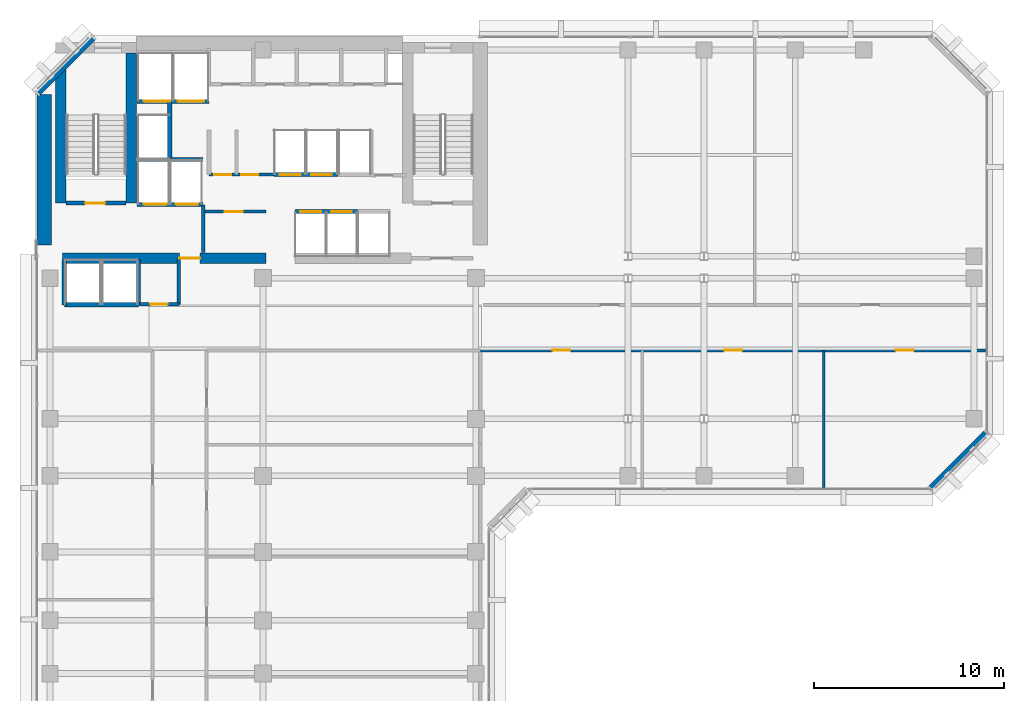
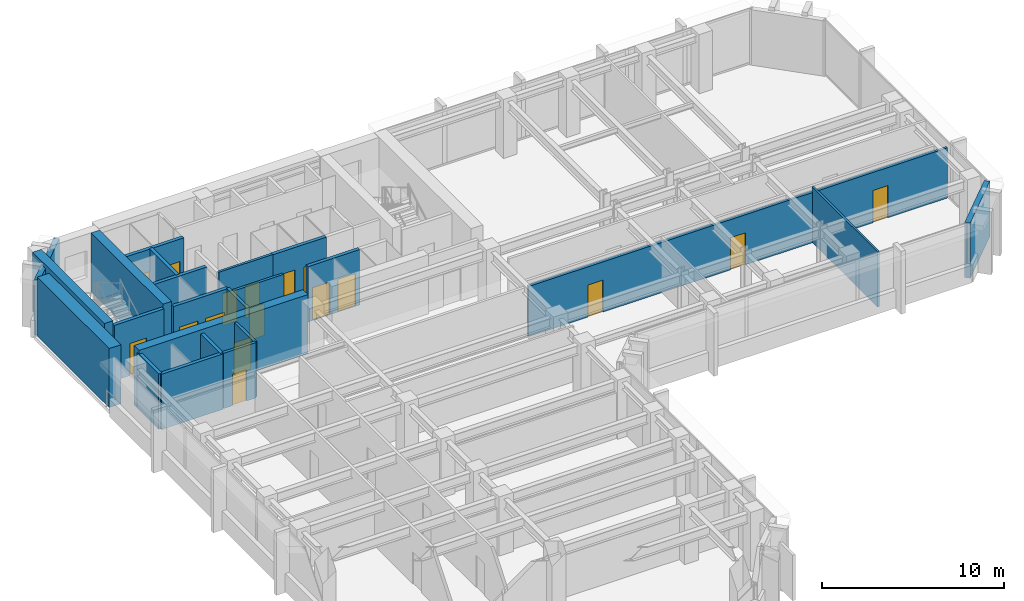
# One storey, part 7 of 11: 23 walls, 17 doors, 17 openings.
"""IFC4 building model written with IfcOpenShell, lengths in metres."""

from ifc_helpers import new_model, si_unit, direction, frame, frame_2d, origin, place, context, subcontext, project, spatial, rectangle, extrude, material, layer, layer_set, type_object, element, fill, save


model = new_model("IFC4")

# Units and contexts
model_context = context("Model", 3, precision=1e-05, world=origin(), true_north=direction((0.0, 1.0)))
body_context = subcontext(model_context, "Body", "Model", "MODEL_VIEW")
ifc_project = project(units=[si_unit("LENGTHUNIT", "METRE"), si_unit("AREAUNIT", "SQUARE_METRE"), si_unit("VOLUMEUNIT", "CUBIC_METRE"), si_unit("PLANEANGLEUNIT", "RADIAN"), si_unit("MASSUNIT", "GRAM", prefix="KILO")], contexts=[model_context])

# Site, building, storey
site_placement = place(None, origin())
site = spatial("IfcSite", under=ifc_project, at=site_placement, CompositionType="ELEMENT")
building_placement = place(site_placement, origin())
building = spatial("IfcBuilding", under=site, at=building_placement, Name="Kefirva Bronze Tower", CompositionType="ELEMENT")
storey_placement = place(building_placement, frame((0.0, 0.0, 142.889892578125)))
storey = spatial("IfcBuildingStorey", under=building, at=storey_placement, Name="L34", CompositionType="ELEMENT", Elevation=142.889892578125)

# Wall
ifc_material_1 = material(Name="Gypsum acoustic partition")
ifc_layer_1 = layer(ifc_material_1, 0.1298828125, Name="Gypsum acoustic partition")
ifc_layer_set_1 = layer_set([ifc_layer_1], Name="Gypsum acoustic partition")
wall_type_1 = type_object("IfcWallType", Name="Acoustic Office Partition 130mm", PredefinedType="PARTITIONING", material=ifc_layer_set_1)
wall_1_placement = place(storey_placement, frame((41.5107421875, 22.18994140625, 0.0), z_axis=(0.0, 0.0, 1.0), x_axis=(0.0, 1.0, 0.0)))
element("IfcWall", 1, at=wall_1_placement, inside=storey, type_object=wall_type_1, Name="L34 Partition W-L34-ESD2", PredefinedType="PARTITIONING", context=body_context, shape_type="SweptSolid", body=[
    extrude(rectangle(XDim=7.2099609375, YDim=0.1298828125, at=frame_2d((3.60498046875, 0.0))), origin(), (0.0, 0.0, 1.0), 3.710205078125),
])

# Wall, opening, door
ifc_material_2 = material(Name="Gypsum fireboard shaftwall")
ifc_layer_2 = layer(ifc_material_2, 0.219970703125, Name="Gypsum fireboard shaftwall")
ifc_layer_set_2 = layer_set([ifc_layer_2], Name="Gypsum fireboard shaftwall")
wall_type_2 = type_object("IfcWallType", Name="Fire-Rated Shaft Enclosure Wall 220mm", PredefinedType="PARTITIONING", material=ifc_layer_set_2)
wall_2_placement = place(storey_placement, frame((1.64990234375, 37.14990234375, 0.0), z_axis=(0.0, 0.0, 1.0), x_axis=(1.0, 0.0, 0.0)))
wall_2 = element("IfcWall", 2, at=wall_2_placement, inside=storey, type_object=wall_type_2, Name="L34 Partition W-L34-ST1S", PredefinedType="PARTITIONING", context=body_context, shape_type="SweptSolid", body=[
    extrude(rectangle(XDim=3.150146484375, YDim=0.219970703125, at=frame_2d((1.5751953125, 0.0))), origin(), (0.0, 0.0, 1.0), 3.710205078125),
])
opening_1_placement = place(wall_2_placement, frame((2.050048828125, 0.0, 0.0), z_axis=(0.0, 0.0, 1.0), x_axis=(-1.0, 0.0, 0.0)))
opening_1 = element("IfcOpeningElement", 3, at=opening_1_placement, cuts=wall_2, Name="Opening L34-D001", PredefinedType="OPENING", context=body_context, shape_type="SweptSolid", body=[
    extrude(rectangle(XDim=1.050048828125, YDim=2.14990234375, at=frame_2d((0.52490234375, 1.074951171875))), frame((0.0, 0.1201171875, 0.0), z_axis=(0.0, -1.0, 0.0), x_axis=(1.0, 0.0, 0.0)), (0.0, 0.0, 1.0), 0.239990234375),
])
ifc_material_3 = material(Name="Painted galvanized steel", Category="steel")
door_type_1 = type_object("IfcDoorType", Name="Fire Stair Enclosure Door 1050x2150 FD90S", OperationType="NOTDEFINED", PredefinedType="DOOR", material=ifc_material_3)
door_1_placement = place(opening_1_placement, origin())
door_1 = element("IfcDoor", 4, at=door_1_placement, inside=storey, type_object=door_type_1, Name="Door L34-D001", OperationType="SINGLE_SWING_RIGHT", OverallHeight=2.14990234375, OverallWidth=1.050048828125, PredefinedType="DOOR", context=body_context, shape_type="SweptSolid", body=[
    extrude(rectangle(XDim=1.050048828125, YDim=2.14990234375, at=frame_2d((0.52490234375, 1.074951171875))), frame((0.0, 0.02490234375, 0.0), z_axis=(0.0, -1.0, 0.0), x_axis=(1.0, 0.0, 0.0)), (0.0, 0.0, 1.0), 0.050048828125),
])
fill(opening_1, door_1)

# Wall, openings, doors
wall_3_placement = place(storey_placement, frame((5.3798828125, 37.080078125, 0.0), z_axis=(0.0, 0.0, 1.0), x_axis=(1.0, 0.0, 0.0)))
wall_3 = element("IfcWall", 5, at=wall_3_placement, inside=storey, type_object=wall_type_2, Name="L34 Partition W-L34-FFS", PredefinedType="PARTITIONING", context=body_context, shape_type="SweptSolid", body=[
    extrude(rectangle(XDim=3.460205078125, YDim=0.219970703125, at=frame_2d((1.72998046875, 0.0))), origin(), (0.0, 0.0, 1.0), 3.710205078125),
])
opening_2_placement = place(wall_3_placement, frame((1.550048828125, 0.0, 0.0), z_axis=(0.0, 0.0, 1.0), x_axis=(-1.0, 0.0, 0.0)))
opening_2 = element("IfcOpeningElement", 6, at=opening_2_placement, cuts=wall_3, Name="Opening L34-LD-FF1", PredefinedType="OPENING", context=body_context, shape_type="SweptSolid", body=[
    extrude(rectangle(XDim=1.199951171875, YDim=2.199951171875, at=frame_2d((0.60009765625, 1.10009765625))), frame((0.0, 0.1201171875, 0.0), z_axis=(0.0, -1.0, 0.0), x_axis=(1.0, 0.0, 0.0)), (0.0, 0.0, 1.0), 0.239990234375),
])
opening_3_placement = place(wall_3_placement, frame((3.219970703125, 0.0, 0.0), z_axis=(0.0, 0.0, 1.0), x_axis=(-1.0, 0.0, 0.0)))
opening_3 = element("IfcOpeningElement", 7, at=opening_3_placement, cuts=wall_3, Name="Opening L34-LD-FF2", PredefinedType="OPENING", context=body_context, shape_type="SweptSolid", body=[
    extrude(rectangle(XDim=1.199951171875, YDim=2.199951171875, at=frame_2d((0.60009765625, 1.10009765625))), frame((0.0, 0.1201171875, 0.0), z_axis=(0.0, -1.0, 0.0), x_axis=(1.0, 0.0, 0.0)), (0.0, 0.0, 1.0), 0.239990234375),
])
ifc_material_4 = material(Name="Stainless steel 316", Category="steel")
door_type_2 = type_object("IfcDoorType", Name="Firefighting Lift Sliding Door 1200x2200", OperationType="SLIDING_TO_RIGHT", PredefinedType="DOOR", material=ifc_material_4)
door_2_placement = place(opening_2_placement, origin())
door_2 = element("IfcDoor", 8, at=door_2_placement, inside=storey, type_object=door_type_2, Name="Door L34-LD-FF1", OperationType="SLIDING_TO_RIGHT", OverallHeight=2.199951171875, OverallWidth=1.199951171875, PredefinedType="DOOR", context=body_context, shape_type="SweptSolid", body=[
    extrude(rectangle(XDim=1.199951171875, YDim=2.199951171875, at=frame_2d((0.60009765625, 1.10009765625))), frame((0.0, 0.02490234375, 0.0), z_axis=(0.0, -1.0, 0.0), x_axis=(1.0, 0.0, 0.0)), (0.0, 0.0, 1.0), 0.050048828125),
])
fill(opening_2, door_2)
door_3_placement = place(opening_3_placement, origin())
door_3 = element("IfcDoor", 9, at=door_3_placement, inside=storey, type_object=door_type_2, Name="Door L34-LD-FF2", OperationType="SLIDING_TO_RIGHT", OverallHeight=2.199951171875, OverallWidth=1.199951171875, PredefinedType="DOOR", context=body_context, shape_type="SweptSolid", body=[
    extrude(rectangle(XDim=1.199951171875, YDim=2.199951171875, at=frame_2d((0.60009765625, 1.10009765625))), frame((0.0, 0.02490234375, 0.0), z_axis=(0.0, -1.0, 0.0), x_axis=(1.0, 0.0, 0.0)), (0.0, 0.0, 1.0), 0.050048828125),
])
fill(opening_3, door_3)

# Wall
wall_4_placement = place(storey_placement, frame((5.3798828125, 39.449951171875, 0.0), z_axis=(0.0, 0.0, 1.0), x_axis=(1.0, 0.0, 0.0)))
element("IfcWall", 10, at=wall_4_placement, inside=storey, type_object=wall_type_2, Name="L34 Partition W-L34-FFN", PredefinedType="PARTITIONING", context=body_context, shape_type="SweptSolid", body=[
    extrude(rectangle(XDim=3.460205078125, YDim=0.219970703125, at=frame_2d((1.72998046875, 0.0))), origin(), (0.0, 0.0, 1.0), 3.710205078125),
])

# Wall, openings, doors
wall_5_placement = place(storey_placement, frame((5.3798828125, 42.5, 0.0), z_axis=(0.0, 0.0, 1.0), x_axis=(1.0, 0.0, 0.0)))
wall_5 = element("IfcWall", 11, at=wall_5_placement, inside=storey, type_object=wall_type_2, Name="L34 Partition W-L34-SVS", PredefinedType="PARTITIONING", context=body_context, shape_type="SweptSolid", body=[
    extrude(rectangle(XDim=3.77001953125, YDim=0.219970703125, at=frame_2d((1.885009765625, 0.0))), origin(), (0.0, 0.0, 1.0), 3.710205078125),
])
opening_4_placement = place(wall_5_placement, frame((1.75, 0.0, 0.0), z_axis=(0.0, 0.0, 1.0), x_axis=(-1.0, 0.0, 0.0)))
opening_4 = element("IfcOpeningElement", 12, at=opening_4_placement, cuts=wall_5, Name="Opening L34-LD-SV1", PredefinedType="OPENING", context=body_context, shape_type="SweptSolid", body=[
    extrude(rectangle(XDim=1.39990234375, YDim=2.199951171875, at=frame_2d((0.699951171875, 1.10009765625))), frame((0.0, 0.1201171875, 0.0), z_axis=(0.0, -1.0, 0.0), x_axis=(1.0, 0.0, 0.0)), (0.0, 0.0, 1.0), 0.239990234375),
])
opening_5_placement = place(wall_5_placement, frame((3.52978515625, 0.0, 0.0), z_axis=(0.0, 0.0, 1.0), x_axis=(-1.0, 0.0, 0.0)))
opening_5 = element("IfcOpeningElement", 13, at=opening_5_placement, cuts=wall_5, Name="Opening L34-LD-SV2", PredefinedType="OPENING", context=body_context, shape_type="SweptSolid", body=[
    extrude(rectangle(XDim=1.39990234375, YDim=2.199951171875, at=frame_2d((0.699951171875, 1.10009765625))), frame((0.0, 0.1201171875, 0.0), z_axis=(0.0, -1.0, 0.0), x_axis=(1.0, 0.0, 0.0)), (0.0, 0.0, 1.0), 0.239990234375),
])
door_type_3 = type_object("IfcDoorType", Name="Goods Lift Bi-Parting Sliding Door 1400x2200", OperationType="SLIDING_TO_LEFT", PredefinedType="DOOR", material=ifc_material_4)
door_4_placement = place(opening_4_placement, origin())
door_4 = element("IfcDoor", 14, at=door_4_placement, inside=storey, type_object=door_type_3, Name="Door L34-LD-SV1", OperationType="SLIDING_TO_LEFT", OverallHeight=2.199951171875, OverallWidth=1.39990234375, PredefinedType="DOOR", context=body_context, shape_type="SweptSolid", body=[
    extrude(rectangle(XDim=1.39990234375, YDim=2.199951171875, at=frame_2d((0.699951171875, 1.10009765625))), frame((0.0, 0.02490234375, 0.0), z_axis=(0.0, -1.0, 0.0), x_axis=(1.0, 0.0, 0.0)), (0.0, 0.0, 1.0), 0.050048828125),
])
fill(opening_4, door_4)
door_5_placement = place(opening_5_placement, origin())
door_5 = element("IfcDoor", 15, at=door_5_placement, inside=storey, type_object=door_type_3, Name="Door L34-LD-SV2", OperationType="SLIDING_TO_LEFT", OverallHeight=2.199951171875, OverallWidth=1.39990234375, PredefinedType="DOOR", context=body_context, shape_type="SweptSolid", body=[
    extrude(rectangle(XDim=1.39990234375, YDim=2.199951171875, at=frame_2d((0.699951171875, 1.10009765625))), frame((0.0, 0.02490234375, 0.0), z_axis=(0.0, -1.0, 0.0), x_axis=(1.0, 0.0, 0.0)), (0.0, 0.0, 1.0), 0.050048828125),
])
fill(opening_5, door_5)

# Walls
wall_6_placement = place(storey_placement, frame((7.10009765625, 39.52001953125, 0.0), z_axis=(0.0, 0.0, 1.0), x_axis=(0.0, 1.0, 0.0)))
element("IfcWall", 16, at=wall_6_placement, inside=storey, type_object=wall_type_2, Name="L34 Partition W-L34-HP3E", PredefinedType="PARTITIONING", context=body_context, shape_type="SweptSolid", body=[
    extrude(rectangle(XDim=2.929931640625, YDim=0.219970703125, at=frame_2d((1.46484375, 0.0))), origin(), (0.0, 0.0, 1.0), 3.710205078125),
])
wall_7_placement = place(storey_placement, frame((1.550048828125, 31.800048828125, 0.0), z_axis=(0.0, 0.0, 1.0), x_axis=(1.0, 0.0, 0.0)))
element("IfcWall", 17, at=wall_7_placement, inside=storey, type_object=wall_type_2, Name="L34 Partition W-L34-OBS", PredefinedType="PARTITIONING", context=body_context, shape_type="SweptSolid", body=[
    extrude(rectangle(XDim=3.89990234375, YDim=0.219970703125, at=frame_2d((1.949951171875, 0.0))), origin(), (0.0, 0.0, 1.0), 3.710205078125),
])
for number, where, z_axis, x_axis, name in (
    (18, (1.550048828125, 31.800048828125, 0.0), (0.0, 0.0, 1.0), (0.0, 1.0, 0.0), "L34 Partition W-L34-OBW"),
    (19, (5.449951171875, 31.800048828125, 0.0), (0.0, 0.0, 1.0), (0.0, 1.0, 0.0), "L34 Partition W-L34-OBE"),
):
    element("IfcWall", number, at=place(storey_placement, frame(where, z_axis=z_axis, x_axis=x_axis)), inside=storey, type_object=wall_type_2, Name=name, PredefinedType="PARTITIONING", context=body_context, shape_type="SweptSolid", body=[
        extrude(rectangle(XDim=2.3798828125, YDim=0.219970703125, at=frame_2d((1.18994140625, 0.0))), origin(), (0.0, 0.0, 1.0), 3.710205078125),
    ])

# Wall, openings, doors
wall_8_placement = place(storey_placement, frame((13.679931640625, 36.699951171875, 0.0), z_axis=(0.0, 0.0, 1.0), x_axis=(1.0, 0.0, 0.0)))
wall_8 = element("IfcWall", 20, at=wall_8_placement, inside=storey, type_object=wall_type_2, Name="L34 Partition W-L34-MPS", PredefinedType="PARTITIONING", context=body_context, shape_type="SweptSolid", body=[
    extrude(rectangle(XDim=3.280029296875, YDim=0.219970703125, at=frame_2d((1.64013671875, 0.0))), origin(), (0.0, 0.0, 1.0), 3.710205078125),
])
opening_6_placement = place(wall_8_placement, frame((0.280029296875, 0.0, 0.0)))
opening_6 = element("IfcOpeningElement", 21, at=opening_6_placement, cuts=wall_8, Name="Opening L34-LD-MP1", PredefinedType="OPENING", context=body_context, shape_type="SweptSolid", body=[
    extrude(rectangle(XDim=1.10009765625, YDim=2.199951171875, at=frame_2d((0.550048828125, 1.10009765625))), frame((0.0, 0.1201171875, 0.0), z_axis=(0.0, -1.0, 0.0), x_axis=(1.0, 0.0, 0.0)), (0.0, 0.0, 1.0), 0.239990234375),
])
opening_7_placement = place(wall_8_placement, frame((1.89990234375, 0.0, 0.0)))
opening_7 = element("IfcOpeningElement", 22, at=opening_7_placement, cuts=wall_8, Name="Opening L34-LD-MP2", PredefinedType="OPENING", context=body_context, shape_type="SweptSolid", body=[
    extrude(rectangle(XDim=1.10009765625, YDim=2.199951171875, at=frame_2d((0.550048828125, 1.10009765625))), frame((0.0, 0.1201171875, 0.0), z_axis=(0.0, -1.0, 0.0), x_axis=(1.0, 0.0, 0.0)), (0.0, 0.0, 1.0), 0.239990234375),
])
door_type_4 = type_object("IfcDoorType", Name="Passenger Lift Sliding Landing Door 1100x2200", OperationType="SLIDING_TO_LEFT", PredefinedType="DOOR", material=ifc_material_4)
door_6_placement = place(opening_6_placement, origin())
door_6 = element("IfcDoor", 23, at=door_6_placement, inside=storey, type_object=door_type_4, Name="Door L34-LD-MP1", OperationType="SLIDING_TO_RIGHT", OverallHeight=2.199951171875, OverallWidth=1.10009765625, PredefinedType="DOOR", context=body_context, shape_type="SweptSolid", body=[
    extrude(rectangle(XDim=1.10009765625, YDim=2.199951171875, at=frame_2d((0.550048828125, 1.10009765625))), frame((0.0, 0.02490234375, 0.0), z_axis=(0.0, -1.0, 0.0), x_axis=(1.0, 0.0, 0.0)), (0.0, 0.0, 1.0), 0.050048828125),
])
fill(opening_6, door_6)
door_7_placement = place(opening_7_placement, origin())
door_7 = element("IfcDoor", 24, at=door_7_placement, inside=storey, type_object=door_type_4, Name="Door L34-LD-MP2", OperationType="SLIDING_TO_RIGHT", OverallHeight=2.199951171875, OverallWidth=1.10009765625, PredefinedType="DOOR", context=body_context, shape_type="SweptSolid", body=[
    extrude(rectangle(XDim=1.10009765625, YDim=2.199951171875, at=frame_2d((0.550048828125, 1.10009765625))), frame((0.0, 0.02490234375, 0.0), z_axis=(0.0, -1.0, 0.0), x_axis=(1.0, 0.0, 0.0)), (0.0, 0.0, 1.0), 0.050048828125),
])
fill(opening_7, door_7)

wall_9_placement = place(storey_placement, frame((12.580078125, 38.64990234375, 0.0), z_axis=(0.0, 0.0, 1.0), x_axis=(1.0, 0.0, 0.0)))
wall_9 = element("IfcWall", 25, at=wall_9_placement, inside=storey, type_object=wall_type_2, Name="L34 Partition W-L34-MPN", PredefinedType="PARTITIONING", context=body_context, shape_type="SweptSolid", body=[
    extrude(rectangle(XDim=3.3798828125, YDim=0.219970703125, at=frame_2d((1.68994140625, 0.0))), origin(), (0.0, 0.0, 1.0), 3.710205078125),
])
opening_8_placement = place(wall_9_placement, frame((0.300048828125, 0.0, 0.0)))
opening_8 = element("IfcOpeningElement", 26, at=opening_8_placement, cuts=wall_9, Name="Opening L34-LD-MP3", PredefinedType="OPENING", context=body_context, shape_type="SweptSolid", body=[
    extrude(rectangle(XDim=1.10009765625, YDim=2.199951171875, at=frame_2d((0.550048828125, 1.10009765625))), frame((0.0, 0.1201171875, 0.0), z_axis=(0.0, -1.0, 0.0), x_axis=(1.0, 0.0, 0.0)), (0.0, 0.0, 1.0), 0.239990234375),
])
opening_9_placement = place(wall_9_placement, frame((1.949951171875, 0.0, 0.0)))
opening_9 = element("IfcOpeningElement", 27, at=opening_9_placement, cuts=wall_9, Name="Opening L34-LD-MP4", PredefinedType="OPENING", context=body_context, shape_type="SweptSolid", body=[
    extrude(rectangle(XDim=1.10009765625, YDim=2.199951171875, at=frame_2d((0.550048828125, 1.10009765625))), frame((0.0, 0.1201171875, 0.0), z_axis=(0.0, -1.0, 0.0), x_axis=(1.0, 0.0, 0.0)), (0.0, 0.0, 1.0), 0.239990234375),
])
door_8_placement = place(opening_8_placement, origin())
door_8 = element("IfcDoor", 28, at=door_8_placement, inside=storey, type_object=door_type_4, Name="Door L34-LD-MP3", OperationType="SLIDING_TO_RIGHT", OverallHeight=2.199951171875, OverallWidth=1.10009765625, PredefinedType="DOOR", context=body_context, shape_type="SweptSolid", body=[
    extrude(rectangle(XDim=1.10009765625, YDim=2.199951171875, at=frame_2d((0.550048828125, 1.10009765625))), frame((0.0, 0.02490234375, 0.0), z_axis=(0.0, -1.0, 0.0), x_axis=(1.0, 0.0, 0.0)), (0.0, 0.0, 1.0), 0.050048828125),
])
fill(opening_8, door_8)
door_9_placement = place(opening_9_placement, origin())
door_9 = element("IfcDoor", 29, at=door_9_placement, inside=storey, type_object=door_type_4, Name="Door L34-LD-MP4", OperationType="SLIDING_TO_RIGHT", OverallHeight=2.199951171875, OverallWidth=1.10009765625, PredefinedType="DOOR", context=body_context, shape_type="SweptSolid", body=[
    extrude(rectangle(XDim=1.10009765625, YDim=2.199951171875, at=frame_2d((0.550048828125, 1.10009765625))), frame((0.0, 0.02490234375, 0.0), z_axis=(0.0, -1.0, 0.0), x_axis=(1.0, 0.0, 0.0)), (0.0, 0.0, 1.0), 0.050048828125),
])
fill(opening_9, door_9)

# Walls
ifc_material_5 = material(Name="Gypsum fireboard barrier")
ifc_layer_3 = layer(ifc_material_5, 0.199951171875, Name="Gypsum fireboard barrier")
ifc_layer_set_3 = layer_set([ifc_layer_3], Name="Gypsum fireboard barrier")
wall_type_3 = type_object("IfcWallType", Name="Firefighting Lobby Barrier Wall 200mm", PredefinedType="PARTITIONING", material=ifc_layer_set_3)
wall_10_placement = place(storey_placement, frame((8.860107421875, 34.550048828125, 0.0), z_axis=(0.0, 0.0, 1.0), x_axis=(0.0, 1.0, 0.0)))
element("IfcWall", 30, at=wall_10_placement, inside=storey, type_object=wall_type_3, Name="L34 Partition W-L34-FFLE", PredefinedType="PARTITIONING", context=body_context, shape_type="SweptSolid", body=[
    extrude(rectangle(XDim=2.5, YDim=0.199951171875, at=frame_2d((1.25, 0.0))), origin(), (0.0, 0.0, 1.0), 3.710205078125),
])
ifc_material_6 = material(Name="Precast concrete C40/50", Category="concrete")
ifc_layer_4 = layer(ifc_material_6, 0.320068359375, Name="Precast concrete C40/50")
ifc_layer_set_4 = layer_set([ifc_layer_4], Name="Precast concrete C40/50")
wall_type_4 = type_object("IfcWallType", Name="Precast Insulated Exterior Wall 320mm", PredefinedType="SOLIDWALL", material=ifc_layer_set_4)
for number, where, z_axis, x_axis, name in (
    (31, (47.125732421875, 22.152099609375, 0.0), (0.0, 0.0, 1.0), (0.707136318428, 0.707077242712, 0.0), "L34 Exterior Facade Wall 3"),
    (32, (3.07421875, 45.847900390625, 0.0), (0.0, 0.0, 1.0), (-0.707106781187, -0.707106781187, 0.0), "L34 Exterior Facade Wall 5"),
):
    element("IfcWall", number, at=place(storey_placement, frame(where, z_axis=z_axis, x_axis=x_axis)), inside=storey, type_object=wall_type_4, Name=name, PredefinedType="SOLIDWALL", context=body_context, shape_type="SweptSolid", body=[
        extrude(rectangle(XDim=4.132568359375, YDim=0.320068359375, at=frame_2d((2.06640625, 0.0))), origin(), (0.0, 0.0, 1.0), 3.710205078125),
    ])

# Wall, opening, door
ifc_layer_5 = layer(ifc_material_1, 0.159912109375, Name="Gypsum acoustic partition")
ifc_layer_set_5 = layer_set([ifc_layer_5], Name="Gypsum acoustic partition")
wall_type_5 = type_object("IfcWallType", Name="Protected Corridor Partition 160mm", PredefinedType="PARTITIONING", material=ifc_layer_set_5)
wall_11_placement = place(storey_placement, frame((8.89990234375, 36.699951171875, 0.0), z_axis=(0.0, 0.0, 1.0), x_axis=(1.0, 0.0, 0.0)))
wall_11 = element("IfcWall", 33, at=wall_11_placement, inside=storey, type_object=wall_type_5, Name="L34 Partition W-L34-RECLP1", PredefinedType="PARTITIONING", context=body_context, shape_type="SweptSolid", body=[
    extrude(rectangle(XDim=3.25, YDim=0.159912109375, at=frame_2d((1.625, 0.0))), origin(), (0.0, 0.0, 1.0), 3.710205078125),
])
opening_10_placement = place(wall_11_placement, frame((1.10009765625, 0.0, 0.0)))
opening_10 = element("IfcOpeningElement", 34, at=opening_10_placement, cuts=wall_11, Name="Opening L34-D-RECLP1", PredefinedType="OPENING", context=body_context, shape_type="SweptSolid", body=[
    extrude(rectangle(XDim=0.949951171875, YDim=2.14990234375, at=frame_2d((0.47509765625, 1.074951171875))), frame((0.0, 0.08984375, 0.0), z_axis=(0.0, -1.0, 0.0), x_axis=(1.0, 0.0, 0.0)), (0.0, 0.0, 1.0), 0.179931640625),
])
ifc_material_7 = material(Name="Acoustic hardwood oak", Category="wood")
door_type_5 = type_object("IfcDoorType", Name="Office & Meeting Room Door 950x2150", OperationType="NOTDEFINED", PredefinedType="DOOR", material=ifc_material_7)
door_10_placement = place(opening_10_placement, origin())
door_10 = element("IfcDoor", 35, at=door_10_placement, inside=storey, type_object=door_type_5, Name="Door L34-D-RECLP1", OperationType="SINGLE_SWING_RIGHT", OverallHeight=2.14990234375, OverallWidth=0.949951171875, PredefinedType="DOOR", context=body_context, shape_type="SweptSolid", body=[
    extrude(rectangle(XDim=0.949951171875, YDim=2.14990234375, at=frame_2d((0.47509765625, 1.074951171875))), frame((0.0, 0.02490234375, 0.0), z_axis=(0.0, -1.0, 0.0), x_axis=(1.0, 0.0, 0.0)), (0.0, 0.0, 1.0), 0.050048828125),
])
fill(opening_10, door_10)

# Wall, openings, doors
wall_12_placement = place(storey_placement, frame((9.159912109375, 38.64990234375, 0.0), z_axis=(0.0, 0.0, 1.0), x_axis=(1.0, 0.0, 0.0)))
wall_12 = element("IfcWall", 36, at=wall_12_placement, inside=storey, type_object=wall_type_5, Name="L34 Partition W-L34-RECLP2", PredefinedType="PARTITIONING", context=body_context, shape_type="SweptSolid", body=[
    extrude(rectangle(XDim=3.420166015625, YDim=0.159912109375, at=frame_2d((1.7099609375, 0.0))), origin(), (0.0, 0.0, 1.0), 3.710205078125),
])
opening_11_placement = place(wall_12_placement, frame((1.179931640625, 0.0, 0.0), z_axis=(0.0, 0.0, 1.0), x_axis=(-1.0, 0.0, 0.0)))
opening_11 = element("IfcOpeningElement", 37, at=opening_11_placement, cuts=wall_12, Name="Opening L34-D-RECLP2A", PredefinedType="OPENING", context=body_context, shape_type="SweptSolid", body=[
    extrude(rectangle(XDim=0.89990234375, YDim=2.14990234375, at=frame_2d((0.449951171875, 1.074951171875))), frame((0.0, 0.08984375, 0.0), z_axis=(0.0, -1.0, 0.0), x_axis=(1.0, 0.0, 0.0)), (0.0, 0.0, 1.0), 0.179931640625),
])
opening_12_placement = place(wall_12_placement, frame((2.599853515625, 0.0, 0.0), z_axis=(0.0, 0.0, 1.0), x_axis=(-1.0, 0.0, 0.0)))
opening_12 = element("IfcOpeningElement", 38, at=opening_12_placement, cuts=wall_12, Name="Opening L34-D-RECLP2B", PredefinedType="OPENING", context=body_context, shape_type="SweptSolid", body=[
    extrude(rectangle(XDim=0.89990234375, YDim=2.14990234375, at=frame_2d((0.449951171875, 1.074951171875))), frame((0.0, 0.08984375, 0.0), z_axis=(0.0, -1.0, 0.0), x_axis=(1.0, 0.0, 0.0)), (0.0, 0.0, 1.0), 0.179931640625),
])
door_type_6 = type_object("IfcDoorType", Name="Core Archive & Server Fire Door 900x2150 FD60S", OperationType="NOTDEFINED", PredefinedType="DOOR", material=ifc_material_3)
door_11_placement = place(opening_11_placement, origin())
door_11 = element("IfcDoor", 39, at=door_11_placement, inside=storey, type_object=door_type_6, Name="Door L34-D-RECLP2A", OperationType="SINGLE_SWING_LEFT", OverallHeight=2.14990234375, OverallWidth=0.89990234375, PredefinedType="DOOR", context=body_context, shape_type="SweptSolid", body=[
    extrude(rectangle(XDim=0.89990234375, YDim=2.14990234375, at=frame_2d((0.449951171875, 1.074951171875))), frame((0.0, 0.02490234375, 0.0), z_axis=(0.0, -1.0, 0.0), x_axis=(1.0, 0.0, 0.0)), (0.0, 0.0, 1.0), 0.050048828125),
])
fill(opening_11, door_11)
door_12_placement = place(opening_12_placement, origin())
door_12 = element("IfcDoor", 40, at=door_12_placement, inside=storey, type_object=door_type_6, Name="Door L34-D-RECLP2B", OperationType="SINGLE_SWING_RIGHT", OverallHeight=2.14990234375, OverallWidth=0.89990234375, PredefinedType="DOOR", context=body_context, shape_type="SweptSolid", body=[
    extrude(rectangle(XDim=0.89990234375, YDim=2.14990234375, at=frame_2d((0.449951171875, 1.074951171875))), frame((0.0, 0.02490234375, 0.0), z_axis=(0.0, -1.0, 0.0), x_axis=(1.0, 0.0, 0.0)), (0.0, 0.0, 1.0), 0.050048828125),
])
fill(opening_12, door_12)

wall_13_placement = place(storey_placement, frame((23.449951171875, 29.39990234375, 0.0), z_axis=(0.0, 0.0, 1.0), x_axis=(1.0, 0.0, 0.0)))
wall_13 = element("IfcWall", 41, at=wall_13_placement, inside=storey, type_object=wall_type_5, Name="L34 Partition W-L34-EWS", PredefinedType="PARTITIONING", context=body_context, shape_type="SweptSolid", body=[
    extrude(rectangle(XDim=26.56005859375, YDim=0.159912109375, at=frame_2d((13.280029296875, 0.0))), origin(), (0.0, 0.0, 1.0), 3.364990234375),
])
opening_13_placement = place(wall_13_placement, frame((4.724609375, 0.0, 0.0), z_axis=(0.0, 0.0, 1.0), x_axis=(-1.0, 0.0, 0.0)))
opening_13 = element("IfcOpeningElement", 42, at=opening_13_placement, cuts=wall_13, Name="Opening L34-D-ES1", PredefinedType="OPENING", context=body_context, shape_type="SweptSolid", body=[
    extrude(rectangle(XDim=0.949951171875, YDim=2.14990234375, at=frame_2d((0.47509765625, 1.074951171875))), frame((0.0, 0.08984375, 0.0), z_axis=(0.0, -1.0, 0.0), x_axis=(1.0, 0.0, 0.0)), (0.0, 0.0, 1.0), 0.179931640625),
])
opening_14_placement = place(wall_13_placement, frame((13.7548828125, 0.0, 0.0), z_axis=(0.0, 0.0, 1.0), x_axis=(-1.0, 0.0, 0.0)))
opening_14 = element("IfcOpeningElement", 43, at=opening_14_placement, cuts=wall_13, Name="Opening L34-D-ES2", PredefinedType="OPENING", context=body_context, shape_type="SweptSolid", body=[
    extrude(rectangle(XDim=0.949951171875, YDim=2.14990234375, at=frame_2d((0.47509765625, 1.074951171875))), frame((0.0, 0.08984375, 0.0), z_axis=(0.0, -1.0, 0.0), x_axis=(1.0, 0.0, 0.0)), (0.0, 0.0, 1.0), 0.179931640625),
])
opening_15_placement = place(wall_13_placement, frame((22.785400390625, 0.0, 0.0), z_axis=(0.0, 0.0, 1.0), x_axis=(-1.0, 0.0, 0.0)))
opening_15 = element("IfcOpeningElement", 44, at=opening_15_placement, cuts=wall_13, Name="Opening L34-D-ES3", PredefinedType="OPENING", context=body_context, shape_type="SweptSolid", body=[
    extrude(rectangle(XDim=0.949951171875, YDim=2.14990234375, at=frame_2d((0.47509765625, 1.074951171875))), frame((0.0, 0.08984375, 0.0), z_axis=(0.0, -1.0, 0.0), x_axis=(1.0, 0.0, 0.0)), (0.0, 0.0, 1.0), 0.179931640625),
])
door_13_placement = place(opening_13_placement, origin())
door_13 = element("IfcDoor", 45, at=door_13_placement, inside=storey, type_object=door_type_5, Name="Door L34-D-ES1", OperationType="SINGLE_SWING_LEFT", OverallHeight=2.14990234375, OverallWidth=0.949951171875, PredefinedType="DOOR", context=body_context, shape_type="SweptSolid", body=[
    extrude(rectangle(XDim=0.949951171875, YDim=2.14990234375, at=frame_2d((0.47509765625, 1.074951171875))), frame((0.0, 0.02490234375, 0.0), z_axis=(0.0, -1.0, 0.0), x_axis=(1.0, 0.0, 0.0)), (0.0, 0.0, 1.0), 0.050048828125),
])
fill(opening_13, door_13)
door_14_placement = place(opening_14_placement, origin())
door_14 = element("IfcDoor", 46, at=door_14_placement, inside=storey, type_object=door_type_5, Name="Door L34-D-ES2", OperationType="SINGLE_SWING_RIGHT", OverallHeight=2.14990234375, OverallWidth=0.949951171875, PredefinedType="DOOR", context=body_context, shape_type="SweptSolid", body=[
    extrude(rectangle(XDim=0.949951171875, YDim=2.14990234375, at=frame_2d((0.47509765625, 1.074951171875))), frame((0.0, 0.02490234375, 0.0), z_axis=(0.0, -1.0, 0.0), x_axis=(1.0, 0.0, 0.0)), (0.0, 0.0, 1.0), 0.050048828125),
])
fill(opening_14, door_14)
door_15_placement = place(opening_15_placement, origin())
door_15 = element("IfcDoor", 47, at=door_15_placement, inside=storey, type_object=door_type_5, Name="Door L34-D-ES3", OperationType="SINGLE_SWING_LEFT", OverallHeight=2.14990234375, OverallWidth=0.949951171875, PredefinedType="DOOR", context=body_context, shape_type="SweptSolid", body=[
    extrude(rectangle(XDim=0.949951171875, YDim=2.14990234375, at=frame_2d((0.47509765625, 1.074951171875))), frame((0.0, 0.02490234375, 0.0), z_axis=(0.0, -1.0, 0.0), x_axis=(1.0, 0.0, 0.0)), (0.0, 0.0, 1.0), 0.050048828125),
])
fill(opening_15, door_15)

# Walls
ifc_material_8 = material(Name="Concrete C60/75", Category="concrete")
ifc_layer_6 = layer(ifc_material_8, 0.75, Name="Concrete C60/75")
ifc_layer_set_6 = layer_set([ifc_layer_6], Name="Concrete C60/75")
wall_type_6 = type_object("IfcWallType", Name="RC Rear Core Exterior Wall 750mm", PredefinedType="SHEAR", material=ifc_layer_set_6)
wall_14_placement = place(storey_placement, frame((0.5, 34.949951171875, 0.0), z_axis=(0.0, 0.0, 1.0), x_axis=(0.0, 1.0, 0.0)))
element("IfcWall", 48, at=wall_14_placement, inside=storey, type_object=wall_type_6, Name="L34 Rear Core West Shear Wall", PredefinedType="SHEAR", context=body_context, shape_type="SweptSolid", body=[
    extrude(rectangle(XDim=7.900146484375, YDim=0.75, at=frame_2d((3.9501953125, 0.0))), origin(), (0.0, 0.0, 1.0), 3.960205078125),
])
ifc_material_9 = material(Name="Concrete C50/60", Category="concrete")
ifc_layer_7 = layer(ifc_material_9, 0.550048828125, Name="Concrete C50/60")
ifc_layer_set_7 = layer_set([ifc_layer_7], Name="Concrete C50/60")
wall_type_7 = type_object("IfcWallType", Name="RC Rear Core Interior Wall 550mm", PredefinedType="SHEAR", material=ifc_layer_set_7)
for number, where, z_axis, x_axis, name in (
    (49, (1.3701171875, 37.14990234375, 0.0), (0.0, 0.0, 1.0), (0.0, 1.0, 0.0), "L34 Stair 1 West Shear Wall"),
    (50, (5.070068359375, 37.14990234375, 0.0), (0.0, 0.0, 1.0), (0.0, 1.0, 0.0), "L34 Stair 1 East Shear Wall"),
):
    element("IfcWall", number, at=place(storey_placement, frame(where, z_axis=z_axis, x_axis=x_axis)), inside=storey, type_object=wall_type_7, Name=name, PredefinedType="SHEAR", context=body_context, shape_type="SweptSolid", body=[
        extrude(rectangle(XDim=7.89013671875, YDim=0.550048828125, at=frame_2d((3.945068359375, 0.0))), origin(), (0.0, 0.0, 1.0), 3.960205078125),
    ])

# Wall, opening, door
ifc_layer_8 = layer(ifc_material_8, 0.75, Name="Concrete C60/75")
ifc_layer_set_8 = layer_set([ifc_layer_8], Name="Concrete C60/75")
wall_type_8 = type_object("IfcWallType", Name="RC Rear Core Interior Wall 750mm", PredefinedType="SHEAR", material=ifc_layer_set_8)
wall_15_placement = place(storey_placement, frame((1.449951171875, 34.25, 0.0), z_axis=(0.0, 0.0, 1.0), x_axis=(1.0, 0.0, 0.0)))
wall_15 = element("IfcWall", 51, at=wall_15_placement, inside=storey, type_object=wall_type_8, Name="L34 Rear Core South-West Shear Wall", PredefinedType="SHEAR", context=body_context, shape_type="SweptSolid", body=[
    extrude(rectangle(XDim=10.7099609375, YDim=0.550048828125, at=frame_2d((5.35498046875, 0.0))), origin(), (0.0, 0.0, 1.0), 3.960205078125),
])
opening_16_placement = place(wall_15_placement, frame((7.25, 0.0, 0.0), z_axis=(0.0, 0.0, 1.0), x_axis=(-1.0, 0.0, 0.0)))
opening_16 = element("IfcOpeningElement", 52, at=opening_16_placement, cuts=wall_15, Name="Opening L34-D002", PredefinedType="OPENING", context=body_context, shape_type="SweptSolid", body=[
    extrude(rectangle(XDim=1.10009765625, YDim=2.14990234375, at=frame_2d((0.550048828125, 1.074951171875))), frame((0.0, 0.28515625, 0.0), z_axis=(0.0, -1.0, 0.0), x_axis=(1.0, 0.0, 0.0)), (0.0, 0.0, 1.0), 0.570068359375),
])
door_type_7 = type_object("IfcDoorType", Name="Firefighting Lobby Smoke Door 1100x2150 FD60S", OperationType="NOTDEFINED", PredefinedType="DOOR", material=ifc_material_3)
door_16_placement = place(opening_16_placement, origin())
door_16 = element("IfcDoor", 53, at=door_16_placement, inside=storey, type_object=door_type_7, Name="Door L34-D002", OperationType="SINGLE_SWING_LEFT", OverallHeight=2.14990234375, OverallWidth=1.10009765625, PredefinedType="DOOR", context=body_context, shape_type="SweptSolid", body=[
    extrude(rectangle(XDim=1.10009765625, YDim=2.14990234375, at=frame_2d((0.550048828125, 1.074951171875))), frame((0.0, 0.02490234375, 0.0), z_axis=(0.0, -1.0, 0.0), x_axis=(1.0, 0.0, 0.0)), (0.0, 0.0, 1.0), 0.050048828125),
])
fill(opening_16, door_16)

ifc_material_10 = material(Name="Moisture-resistant partition")
ifc_layer_9 = layer(ifc_material_10, 0.179931640625, Name="Moisture-resistant partition")
ifc_layer_set_9 = layer_set([ifc_layer_9], Name="Moisture-resistant partition")
wall_type_9 = type_object("IfcWallType", Name="Sanitary Plumbing Chase Wall 180mm", PredefinedType="PLUMBINGWALL", material=ifc_layer_set_9)
wall_16_placement = place(storey_placement, frame((5.5, 31.820068359375, 0.0), z_axis=(0.0, 0.0, 1.0), x_axis=(1.0, 0.0, 0.0)))
wall_16 = element("IfcWall", 54, at=wall_16_placement, inside=storey, type_object=wall_type_9, Name="L34 Partition W-L34-TCS", PredefinedType="PLUMBINGWALL", context=body_context, shape_type="SweptSolid", body=[
    extrude(rectangle(XDim=2.080078125, YDim=0.179931640625, at=frame_2d((1.0400390625, 0.0))), origin(), (0.0, 0.0, 1.0), 3.710205078125),
])
opening_17_placement = place(wall_16_placement, frame((1.47998046875, 0.0, 0.0), z_axis=(0.0, 0.0, 1.0), x_axis=(-1.0, 0.0, 0.0)))
opening_17 = element("IfcOpeningElement", 55, at=opening_17_placement, cuts=wall_16, Name="Opening L34-D-TCL1", PredefinedType="OPENING", context=body_context, shape_type="SweptSolid", body=[
    extrude(rectangle(XDim=0.89990234375, YDim=2.10009765625, at=frame_2d((0.449951171875, 1.050048828125))), frame((0.0, 0.10009765625, 0.0), z_axis=(0.0, -1.0, 0.0), x_axis=(1.0, 0.0, 0.0)), (0.0, 0.0, 1.0), 0.199951171875),
])
door_type_8 = type_object("IfcDoorType", Name="Telecom & Meter Fire Door 900x2100 FD60S", OperationType="NOTDEFINED", PredefinedType="DOOR", material=ifc_material_3)
door_17_placement = place(opening_17_placement, origin())
door_17 = element("IfcDoor", 56, at=door_17_placement, inside=storey, type_object=door_type_8, Name="Door L34-D-TCL1", OperationType="SINGLE_SWING_LEFT", OverallHeight=2.10009765625, OverallWidth=0.89990234375, PredefinedType="DOOR", context=body_context, shape_type="SweptSolid", body=[
    extrude(rectangle(XDim=0.89990234375, YDim=2.10009765625, at=frame_2d((0.449951171875, 1.050048828125))), frame((0.0, 0.02490234375, 0.0), z_axis=(0.0, -1.0, 0.0), x_axis=(1.0, 0.0, 0.0)), (0.0, 0.0, 1.0), 0.050048828125),
])
fill(opening_17, door_17)

# Wall
wall_17_placement = place(storey_placement, frame((7.580078125, 31.820068359375, 0.0), z_axis=(0.0, 0.0, 1.0), x_axis=(0.0, 1.0, 0.0)))
element("IfcWall", 57, at=wall_17_placement, inside=storey, type_object=wall_type_9, Name="L34 Partition W-L34-TCE", PredefinedType="PLUMBINGWALL", context=body_context, shape_type="SweptSolid", body=[
    extrude(rectangle(XDim=2.35986328125, YDim=0.179931640625, at=frame_2d((1.179931640625, 0.0))), origin(), (0.0, 0.0, 1.0), 3.710205078125),
])

save(model, "model.ifc")
